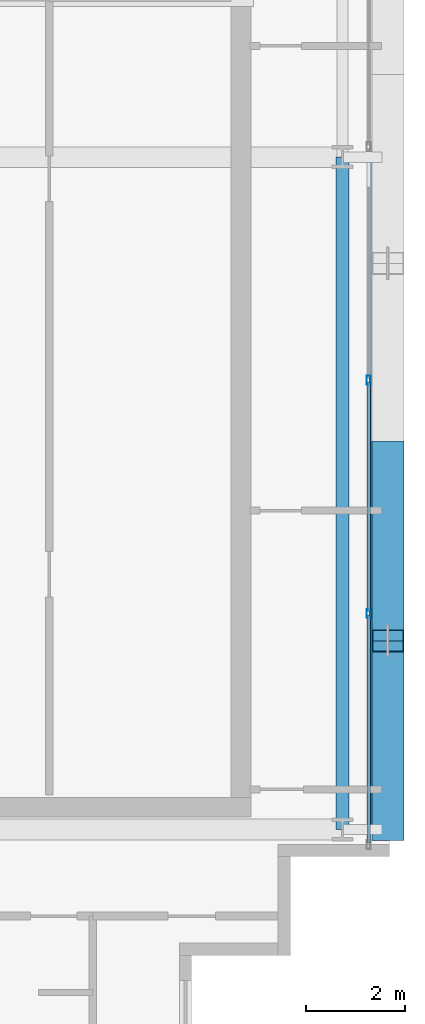
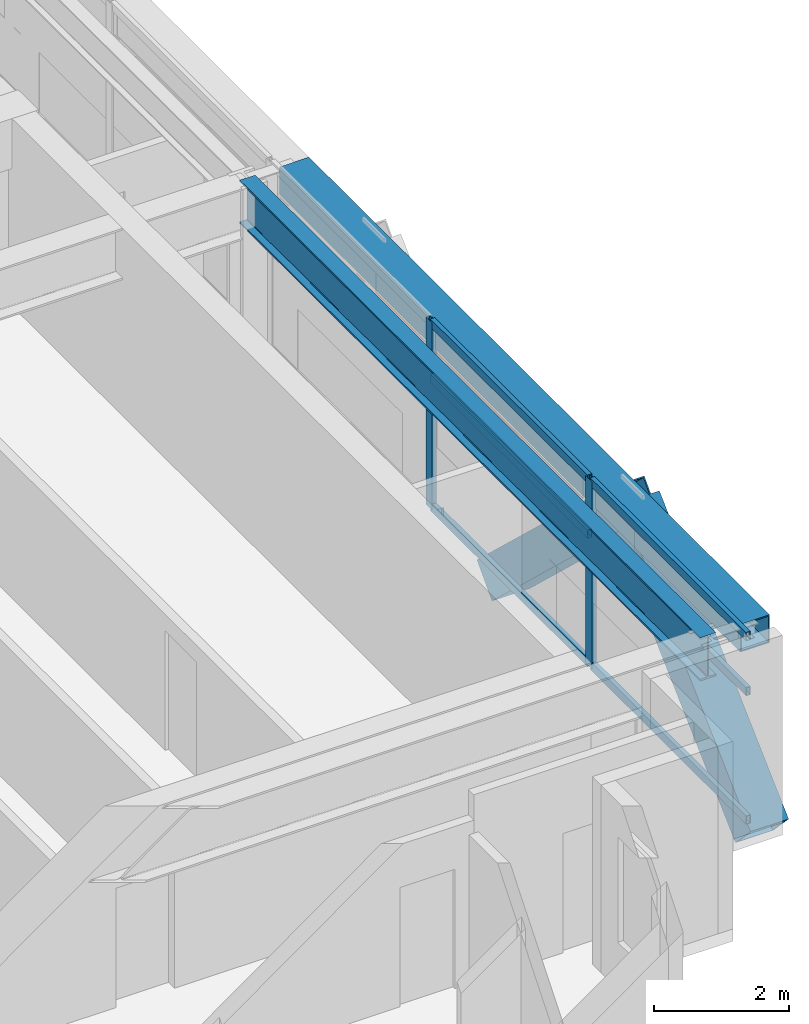
# One storey, part 11 of 29: 10 members, 2 beams, 1 element without a shape of its own.
"""IFC4 building model written with IfcOpenShell, lengths in metres."""

from ifc_helpers import new_model, si_unit, direction, frame, origin, origin_2d, place, context, subcontext, project, spatial, hollow_rectangle, i_section, extrude, source, transform, mapped, material, layer, layer_set, material_profile, profile_set, type_object, element, aggregate, save


model = new_model("IFC4")

# Units and contexts
model_context = context("Model", 3, precision=1e-05, world=origin(), true_north=direction((0.0, 1.0)))
body_context = subcontext(model_context, "Body", "Model", "MODEL_VIEW")
ifc_project = project(units=[si_unit("LENGTHUNIT", "METRE"), si_unit("AREAUNIT", "SQUARE_METRE"), si_unit("VOLUMEUNIT", "CUBIC_METRE"), si_unit("PLANEANGLEUNIT", "RADIAN"), si_unit("MASSUNIT", "GRAM", prefix="KILO")], contexts=[model_context])

# Site, building, storey
site_placement = place(None, origin())
site = spatial("IfcSite", under=ifc_project, at=site_placement, CompositionType="ELEMENT")
building_placement = place(site_placement, origin())
building = spatial("IfcBuilding", under=site, at=building_placement, Name="Ocotamira Hotel", CompositionType="ELEMENT")
storey_placement = place(building_placement, frame((0.0, 0.0, 236.39990234375)))
storey = spatial("IfcBuildingStorey", under=building, at=storey_placement, Name="L59", CompositionType="ELEMENT", Elevation=236.39990234375)

# Beams
ifc_material_1 = material(Name="Steel ASTM A992 Grade 50", Category="steel")
ifc_material_profile_1 = material_profile(ifc_material_1, i_section(OverallWidth=0.26611328125, OverallDepth=0.779052734375, WebThickness=0.0166015625, FlangeThickness=0.030029296875, FilletRadius=0.01806640625, at=origin_2d()), Name="W30X148")
ifc_profile_set_1 = profile_set([ifc_material_profile_1], Name="Steel ASTM A992 Grade 50")
beam_type_1 = type_object("IfcBeamType", Name="BM-GIRD-W30X148", PredefinedType="BEAM", material=ifc_profile_set_1)
shared_shape_1 = source(origin(), body_context, "Body", "SweptSolid", [
    extrude(i_section(OverallWidth=0.26611328125, OverallDepth=0.779052734375, WebThickness=0.0166015625, FlangeThickness=0.030029296875, FilletRadius=0.01806640625, at=origin_2d()), origin(), (0.0, 0.0, 1.0), 13.599853515625),
])
beam_1_placement = place(storey_placement, frame((55.050048828125, 14.550048828125, 2.990478515625), z_axis=(0.0, 1.0, 0.0), x_axis=(-1.0, 0.0, 0.0)))
element("IfcBeam", 1, at=beam_1_placement, inside=storey, type_object=beam_type_1, Name="L59 Beam X55.05 Y14.55-28.15", PredefinedType="BEAM", context=body_context, shape_type="MappedRepresentation", body=[
    mapped(shared_shape_1, transform((0.0, 0.0, 0.0), scale=1.0)),
])
ifc_material_2 = material(Name="Steel ASTM A500 Grade C", Category="steel")
ifc_material_profile_2 = material_profile(ifc_material_2, hollow_rectangle(XDim=0.5, YDim=0.5, WallThickness=0.02001953125, at=origin_2d()), Name="HSS500X500X20")
ifc_profile_set_2 = profile_set([ifc_material_profile_2], Name="Steel ASTM A500 Grade C")
beam_type_2 = type_object("IfcBeamType", Name="BM-SPAN-HSS500", PredefinedType="USERDEFINED", material=ifc_profile_set_2)
shared_shape_2 = source(origin(), body_context, "Body", "SweptSolid", [
    extrude(hollow_rectangle(XDim=0.5, YDim=0.5, WallThickness=0.02001953125, at=origin_2d()), origin(), (0.0, 0.0, 1.0), 13.599853515625),
])
beam_2_placement = place(storey_placement, frame((55.85009765625, 14.550048828125, 3.130126953125), z_axis=(0.0, 1.0, 0.0), x_axis=(-1.0, 0.0, 0.0)))
element("IfcBeam", 2, at=beam_2_placement, inside=storey, type_object=beam_type_2, Name="L59 Edge Spandrel E Y14.55-28.15", ObjectType="SPANDREL", PredefinedType="USERDEFINED", context=body_context, shape_type="MappedRepresentation", body=[
    mapped(shared_shape_2, transform((0.0, 0.0, 0.0), scale=1.0)),
])

# Members
ifc_material_3 = material(Name="Pale-metal coated steel ASTM A913 Grade 65", Category="steel")
ifc_material_profile_3 = material_profile(ifc_material_3, hollow_rectangle(XDim=0.64990234375, YDim=0.64990234375, WallThickness=0.02197265625, at=origin_2d()), Name="BOX650X650X22")
ifc_profile_set_3 = profile_set([ifc_material_profile_3], Name="Pale-metal coated steel ASTM A913 Grade 65")
member_type_1 = type_object("IfcMemberType", Name="MEM-EXO-BOX650", PredefinedType="BRACE", material=ifc_profile_set_3)
shared_shape_3 = source(origin(), body_context, "Body", "SweptSolid", [
    extrude(hollow_rectangle(XDim=0.64990234375, YDim=0.64990234375, WallThickness=0.02197265625, at=origin_2d()), origin(), (0.0, 0.0, 1.0), 5.24658203125),
])
for number, where, z_axis, x_axis, name in (
    (3, (55.969970703125, 14.550048828125, -0.469970703125), (0.0, 0.727442733726, 0.686168397078), (-1.0, 0.0, 0.0), "L59 Exoskeleton Diagrid E0.1"),
    (4, (55.969970703125, 22.183349609375, -0.469970703125), (0.0, -0.727442733726, 0.686168397078), (1.0, 0.0, 0.0), "L59 Exoskeleton Diagrid E0.2"),
):
    element("IfcMember", number, at=place(storey_placement, frame(where, z_axis=z_axis, x_axis=x_axis)), inside=storey, type_object=member_type_1, Name=name, PredefinedType="BRACE", context=body_context, shape_type="MappedRepresentation", body=[
        mapped(shared_shape_3, transform((0.0, 0.0, 0.0), scale=1.0)),
    ])

# Curtain wall, members
ifc_material_4 = material(Name="Anodised pale-metal aluminium and solar glass", Category="aluminium")
ifc_layer = layer(ifc_material_4, 0.239990234375)
ifc_layer_set = layer_set([ifc_layer], Name="Anodised pale-metal aluminium and solar glass")
curtain_wall_type = type_object("IfcCurtainWallType", Name="CW-SYS5-SKY", PredefinedType="NOTDEFINED", material=ifc_layer_set)
curtain_wall_placement = place(storey_placement, origin())
curtain_wall = element("IfcCurtainWall", 5, at=curtain_wall_placement, inside=storey, type_object=curtain_wall_type, Name="L59 Curtain Wall CW-5 CW-L59-E", PredefinedType="NOTDEFINED")
ifc_material_5 = material(Name="Anodised pale-metal aluminium 6063-T6", Category="aluminium")
ifc_material_profile_4 = material_profile(ifc_material_5, hollow_rectangle(XDim=0.074951171875, YDim=0.14990234375, WallThickness=0.006103515625, at=origin_2d()), Name="HSS150X75X6")
ifc_profile_set_4 = profile_set([ifc_material_profile_4], Name="Anodised pale-metal aluminium 6063-T6")
member_type_2 = type_object("IfcMemberType", Name="CWT-150X75", PredefinedType="USERDEFINED", material=ifc_profile_set_4)
shared_shape_4 = source(origin(), body_context, "Body", "SweptSolid", [
    extrude(hollow_rectangle(XDim=0.074951171875, YDim=0.14990234375, WallThickness=0.006103515625, at=origin_2d()), origin(), (0.0, 0.0, 1.0), 4.599853515625),
])
member_1_placement = place(storey_placement, frame((55.580078125, 14.280029296875, 0.03759765625), z_axis=(0.0, 1.0, 0.0), x_axis=(-1.0, 0.0, 0.0)))
member_1 = element("IfcMember", 6, at=member_1_placement, type_object=member_type_2, Name="CW-5 transom 1.1", ObjectType="TRANSOM", PredefinedType="USERDEFINED", context=body_context, shape_type="MappedRepresentation", body=[
    mapped(shared_shape_4, transform((0.0, 0.0, 0.0), scale=1.0)),
])
member_2_placement = place(storey_placement, frame((55.580078125, 14.280029296875, 2.35009765625), z_axis=(0.0, 1.0, 0.0), x_axis=(-1.0, 0.0, 0.0)))
member_2 = element("IfcMember", 7, at=member_2_placement, type_object=member_type_2, Name="CW-5 transom 1.2", ObjectType="TRANSOM", PredefinedType="USERDEFINED", context=body_context, shape_type="MappedRepresentation", body=[
    mapped(shared_shape_4, transform((0.0, 0.0, 0.0), scale=1.0)),
])
member_3_placement = place(storey_placement, frame((55.580078125, 14.280029296875, 3.342529296875), z_axis=(0.0, 1.0, 0.0), x_axis=(-1.0, 0.0, 0.0)))
member_3 = element("IfcMember", 8, at=member_3_placement, type_object=member_type_2, Name="CW-5 transom 1.3", ObjectType="TRANSOM", PredefinedType="USERDEFINED", context=body_context, shape_type="MappedRepresentation", body=[
    mapped(shared_shape_4, transform((0.0, 0.0, 0.0), scale=1.0)),
])
shared_shape_5 = source(origin(), body_context, "Body", "SweptSolid", [
    extrude(hollow_rectangle(XDim=0.074951171875, YDim=0.14990234375, WallThickness=0.006103515625, at=origin_2d()), origin(), (0.0, 0.0, 1.0), 4.64013671875),
])
member_4_placement = place(storey_placement, frame((55.580078125, 18.9599609375, 0.03759765625), z_axis=(0.0, 1.0, 0.0), x_axis=(-1.0, 0.0, 0.0)))
member_4 = element("IfcMember", 9, at=member_4_placement, type_object=member_type_2, Name="CW-5 transom 2.1", ObjectType="TRANSOM", PredefinedType="USERDEFINED", context=body_context, shape_type="MappedRepresentation", body=[
    mapped(shared_shape_5, transform((0.0, 0.0, 0.0), scale=1.0)),
])
member_5_placement = place(storey_placement, frame((55.580078125, 18.9599609375, 2.35009765625), z_axis=(0.0, 1.0, 0.0), x_axis=(-1.0, 0.0, 0.0)))
member_5 = element("IfcMember", 10, at=member_5_placement, type_object=member_type_2, Name="CW-5 transom 2.2", ObjectType="TRANSOM", PredefinedType="USERDEFINED", context=body_context, shape_type="MappedRepresentation", body=[
    mapped(shared_shape_5, transform((0.0, 0.0, 0.0), scale=1.0)),
])
member_6_placement = place(storey_placement, frame((55.580078125, 18.9599609375, 3.342529296875), z_axis=(0.0, 1.0, 0.0), x_axis=(-1.0, 0.0, 0.0)))
member_6 = element("IfcMember", 11, at=member_6_placement, type_object=member_type_2, Name="CW-5 transom 2.3", ObjectType="TRANSOM", PredefinedType="USERDEFINED", context=body_context, shape_type="MappedRepresentation", body=[
    mapped(shared_shape_5, transform((0.0, 0.0, 0.0), scale=1.0)),
])
ifc_material_profile_5 = material_profile(ifc_material_5, hollow_rectangle(XDim=0.080078125, YDim=0.179931640625, WallThickness=0.006103515625, at=origin_2d()), Name="HSS180X80X6")
ifc_profile_set_5 = profile_set([ifc_material_profile_5], Name="Anodised pale-metal aluminium 6063-T6")
member_type_3 = type_object("IfcMemberType", Name="CWM-180X75", PredefinedType="MULLION", material=ifc_profile_set_5)
shared_shape_6 = source(origin(), body_context, "Body", "SweptSolid", [
    extrude(hollow_rectangle(XDim=0.080078125, YDim=0.179931640625, WallThickness=0.006103515625, at=origin_2d()), origin(), (0.0, 0.0, 1.0), 3.380126953125),
])
member_7_placement = place(storey_placement, frame((55.580078125, 18.919921875, 0.0), z_axis=(0.0, 0.0, 1.0), x_axis=(-1.0, 0.0, 0.0)))
member_7 = element("IfcMember", 12, at=member_7_placement, type_object=member_type_3, Name="CW-5 mullion 2", PredefinedType="MULLION", context=body_context, shape_type="MappedRepresentation", body=[
    mapped(shared_shape_6, transform((0.0, 0.0, 0.0), scale=1.0)),
])
member_8_placement = place(storey_placement, frame((55.580078125, 23.639892578125, 0.0), z_axis=(0.0, 0.0, 1.0), x_axis=(-1.0, 0.0, 0.0)))
member_8 = element("IfcMember", 13, at=member_8_placement, type_object=member_type_3, Name="CW-5 mullion 3", PredefinedType="MULLION", context=body_context, shape_type="MappedRepresentation", body=[
    mapped(shared_shape_6, transform((0.0, 0.0, 0.0), scale=1.0)),
])
aggregate(curtain_wall, [member_7, member_8, member_1, member_2, member_3, member_4, member_5, member_6])

save(model, "model.ifc")
